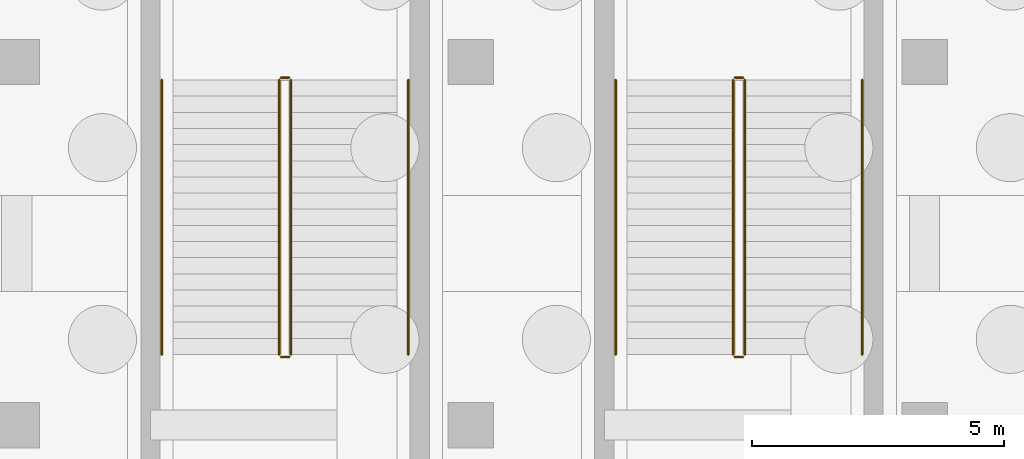
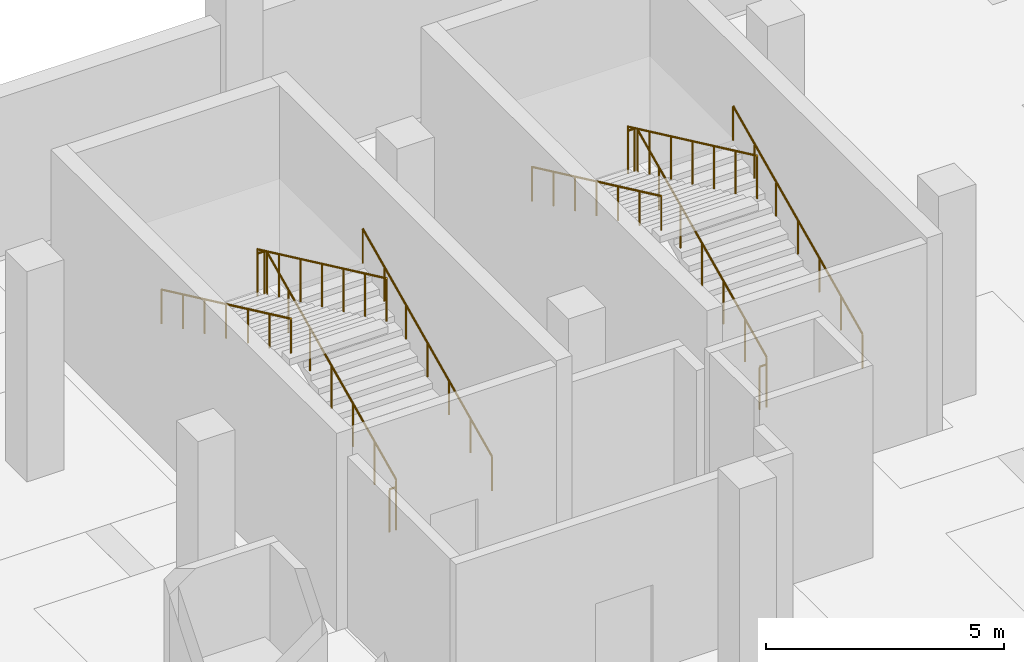
# One storey, part 37 of 39: 12 railings.
"""IFC4 building model written with IfcOpenShell, lengths in metres."""

from ifc_helpers import new_model, si_unit, direction, frame, origin, origin_2d, place, context, subcontext, project, spatial, circle, extrude, material, layer, layer_set, type_object, element, save


model = new_model("IFC4")

# Units and contexts
model_context = context("Model", 3, precision=1e-05, world=origin(), true_north=direction((0.0, 1.0)))
body_context = subcontext(model_context, "Body", "Model", "MODEL_VIEW")
ifc_project = project(units=[si_unit("LENGTHUNIT", "METRE"), si_unit("AREAUNIT", "SQUARE_METRE"), si_unit("VOLUMEUNIT", "CUBIC_METRE"), si_unit("PLANEANGLEUNIT", "RADIAN"), si_unit("MASSUNIT", "GRAM", prefix="KILO")], contexts=[model_context])

# Site, building, storey
site_placement = place(None, origin())
site = spatial("IfcSite", under=ifc_project, at=site_placement, CompositionType="ELEMENT")
building_placement = place(site_placement, origin())
building = spatial("IfcBuilding", under=site, at=building_placement, Name="Celestram Park Convention Centre", CompositionType="ELEMENT")
storey_placement = place(building_placement, frame((0.0, 0.0, -5.39990234375)))
storey = spatial("IfcBuildingStorey", under=building, at=storey_placement, Name="B1", CompositionType="ELEMENT", Elevation=-5.39990234375)

# Railings
ifc_material_1 = material(Name="Stainless Steel AISI 316L & Laminated Glass", Category="steel")
ifc_layer_1 = layer(ifc_material_1, 0.06005859375)
ifc_layer_set_1 = layer_set([ifc_layer_1], Name="Stainless Steel AISI 316L & Laminated Glass")
railing_type_1 = type_object("IfcRailingType", Name="ARC-RL-GRD1120", PredefinedType="GUARDRAIL", material=ifc_layer_set_1)
railing_1_placement = place(storey_placement, frame((86.43603515625, 152.60009765625, 0.14990234375)))
element("IfcRailing", 1, at=railing_1_placement, inside=storey, type_object=railing_type_1, Name="B1 ST-02 stair guard 1", PredefinedType="GUARDRAIL", context=body_context, shape_type="SweptSolid", body=[
    extrude(circle(Radius=0.02392578125, at=origin_2d()), frame((0.0, 0.0, 1.09619140625), z_axis=(0.0, 0.90545405566, 0.424444287379), x_axis=(-1.0, 0.0, 0.0)), (0.0, 0.0, 1.0), 6.008056640625),
    extrude(circle(Radius=0.02099609375, at=origin_2d()), origin(), (0.0, 0.0, 1.0), 1.072021484375),
    extrude(circle(Radius=0.02099609375, at=origin_2d()), frame((0.0, 0.90673828125, 0.425048828125)), (0.0, 0.0, 1.0), 1.072021484375),
    extrude(circle(Radius=0.02099609375, at=origin_2d()), frame((0.0, 1.813232421875, 0.85009765625)), (0.0, 0.0, 1.0), 1.072021484375),
    extrude(circle(Radius=0.02099609375, at=origin_2d()), frame((0.0, 2.719970703125, 1.27490234375)), (0.0, 0.0, 1.0), 1.072021484375),
    extrude(circle(Radius=0.02099609375, at=origin_2d()), frame((0.0, 3.626708984375, 1.699951171875)), (0.0, 0.0, 1.0), 1.072021484375),
    extrude(circle(Radius=0.02099609375, at=origin_2d()), frame((0.0, 4.533203125, 2.125)), (0.0, 0.0, 1.0), 1.072021484375),
    extrude(circle(Radius=0.02099609375, at=origin_2d()), frame((0.0, 5.43994140625, 2.550048828125)), (0.0, 0.0, 1.0), 1.072021484375),
])
railing_2_placement = place(storey_placement, frame((86.39990234375, 158.090087890625, 2.699951171875)))
element("IfcRailing", 2, at=railing_2_placement, inside=storey, type_object=railing_type_1, Name="B1 ST-02 stair guard 2", PredefinedType="GUARDRAIL", context=body_context, shape_type="SweptSolid", body=[
    extrude(circle(Radius=0.02392578125, at=origin_2d()), frame((0.0, 0.0, 1.09619140625), z_axis=(-1.0, 0.0, 0.0), x_axis=(0.0, -1.0, 0.0)), (0.0, 0.0, 1.0), 0.159912109375),
    extrude(circle(Radius=0.02099609375, at=origin_2d()), origin(), (0.0, 0.0, 1.0), 1.072021484375),
    extrude(circle(Radius=0.02099609375, at=origin_2d()), frame((-0.159912109375, 0.0, 0.0)), (0.0, 0.0, 1.0), 1.072021484375),
])
railing_3_placement = place(storey_placement, frame((86.2041015625, 158.0400390625, 2.849853515625)))
element("IfcRailing", 3, at=railing_3_placement, inside=storey, type_object=railing_type_1, Name="B1 ST-02 stair guard 3", PredefinedType="GUARDRAIL", context=body_context, shape_type="SweptSolid", body=[
    extrude(circle(Radius=0.02392578125, at=origin_2d()), frame((0.0, 0.0, 1.09619140625), z_axis=(0.0, -0.90545405566, 0.424444287379), x_axis=(1.0, 0.0, 0.0)), (0.0, 0.0, 1.0), 6.008056640625),
    extrude(circle(Radius=0.02099609375, at=origin_2d()), origin(), (0.0, 0.0, 1.0), 1.072021484375),
    extrude(circle(Radius=0.02099609375, at=origin_2d()), frame((0.0, -0.90673828125, 0.425048828125)), (0.0, 0.0, 1.0), 1.072021484375),
    extrude(circle(Radius=0.02099609375, at=origin_2d()), frame((0.0, -1.813232421875, 0.85009765625)), (0.0, 0.0, 1.0), 1.072021484375),
    extrude(circle(Radius=0.02099609375, at=origin_2d()), frame((0.0, -2.719970703125, 1.27490234375)), (0.0, 0.0, 1.0), 1.072021484375),
    extrude(circle(Radius=0.02099609375, at=origin_2d()), frame((0.0, -3.626708984375, 1.699951171875)), (0.0, 0.0, 1.0), 1.072021484375),
    extrude(circle(Radius=0.02099609375, at=origin_2d()), frame((0.0, -4.533203125, 2.125)), (0.0, 0.0, 1.0), 1.072021484375),
    extrude(circle(Radius=0.02099609375, at=origin_2d()), frame((0.0, -5.43994140625, 2.550048828125)), (0.0, 0.0, 1.0), 1.072021484375),
])
railing_4_placement = place(storey_placement, frame((86.39990234375, 152.550048828125, 0.0)))
element("IfcRailing", 4, at=railing_4_placement, inside=storey, type_object=railing_type_1, Name="B1 ST-02 stair guard 4", PredefinedType="GUARDRAIL", context=body_context, shape_type="SweptSolid", body=[
    extrude(circle(Radius=0.02392578125, at=origin_2d()), frame((0.0, 0.0, 1.09619140625), z_axis=(-1.0, 0.0, 0.0), x_axis=(0.0, -1.0, 0.0)), (0.0, 0.0, 1.0), 0.159912109375),
    extrude(circle(Radius=0.02099609375, at=origin_2d()), origin(), (0.0, 0.0, 1.0), 1.072021484375),
    extrude(circle(Radius=0.02099609375, at=origin_2d()), frame((-0.159912109375, 0.0, 0.0)), (0.0, 0.0, 1.0), 1.072021484375),
])
railing_5_placement = place(storey_placement, frame((95.43603515625, 152.60009765625, 0.14990234375)))
element("IfcRailing", 5, at=railing_5_placement, inside=storey, type_object=railing_type_1, Name="B1 ST-19 stair guard 1", PredefinedType="GUARDRAIL", context=body_context, shape_type="SweptSolid", body=[
    extrude(circle(Radius=0.02392578125, at=origin_2d()), frame((0.0, 0.0, 1.09619140625), z_axis=(0.0, 0.90545405566, 0.424444287379), x_axis=(-1.0, 0.0, 0.0)), (0.0, 0.0, 1.0), 6.008056640625),
    extrude(circle(Radius=0.02099609375, at=origin_2d()), origin(), (0.0, 0.0, 1.0), 1.072021484375),
    extrude(circle(Radius=0.02099609375, at=origin_2d()), frame((0.0, 0.90673828125, 0.425048828125)), (0.0, 0.0, 1.0), 1.072021484375),
    extrude(circle(Radius=0.02099609375, at=origin_2d()), frame((0.0, 1.813232421875, 0.85009765625)), (0.0, 0.0, 1.0), 1.072021484375),
    extrude(circle(Radius=0.02099609375, at=origin_2d()), frame((0.0, 2.719970703125, 1.27490234375)), (0.0, 0.0, 1.0), 1.072021484375),
    extrude(circle(Radius=0.02099609375, at=origin_2d()), frame((0.0, 3.626708984375, 1.699951171875)), (0.0, 0.0, 1.0), 1.072021484375),
    extrude(circle(Radius=0.02099609375, at=origin_2d()), frame((0.0, 4.533203125, 2.125)), (0.0, 0.0, 1.0), 1.072021484375),
    extrude(circle(Radius=0.02099609375, at=origin_2d()), frame((0.0, 5.43994140625, 2.550048828125)), (0.0, 0.0, 1.0), 1.072021484375),
])
railing_6_placement = place(storey_placement, frame((95.39990234375, 158.090087890625, 2.699951171875)))
element("IfcRailing", 6, at=railing_6_placement, inside=storey, type_object=railing_type_1, Name="B1 ST-19 stair guard 2", PredefinedType="GUARDRAIL", context=body_context, shape_type="SweptSolid", body=[
    extrude(circle(Radius=0.02392578125, at=origin_2d()), frame((0.0, 0.0, 1.09619140625), z_axis=(-1.0, 0.0, 0.0), x_axis=(0.0, -1.0, 0.0)), (0.0, 0.0, 1.0), 0.159912109375),
    extrude(circle(Radius=0.02099609375, at=origin_2d()), origin(), (0.0, 0.0, 1.0), 1.072021484375),
    extrude(circle(Radius=0.02099609375, at=origin_2d()), frame((-0.159912109375, 0.0, 0.0)), (0.0, 0.0, 1.0), 1.072021484375),
])
railing_7_placement = place(storey_placement, frame((95.2041015625, 158.0400390625, 2.849853515625)))
element("IfcRailing", 7, at=railing_7_placement, inside=storey, type_object=railing_type_1, Name="B1 ST-19 stair guard 3", PredefinedType="GUARDRAIL", context=body_context, shape_type="SweptSolid", body=[
    extrude(circle(Radius=0.02392578125, at=origin_2d()), frame((0.0, 0.0, 1.09619140625), z_axis=(0.0, -0.90545405566, 0.424444287379), x_axis=(1.0, 0.0, 0.0)), (0.0, 0.0, 1.0), 6.008056640625),
    extrude(circle(Radius=0.02099609375, at=origin_2d()), origin(), (0.0, 0.0, 1.0), 1.072021484375),
    extrude(circle(Radius=0.02099609375, at=origin_2d()), frame((0.0, -0.90673828125, 0.425048828125)), (0.0, 0.0, 1.0), 1.072021484375),
    extrude(circle(Radius=0.02099609375, at=origin_2d()), frame((0.0, -1.813232421875, 0.85009765625)), (0.0, 0.0, 1.0), 1.072021484375),
    extrude(circle(Radius=0.02099609375, at=origin_2d()), frame((0.0, -2.719970703125, 1.27490234375)), (0.0, 0.0, 1.0), 1.072021484375),
    extrude(circle(Radius=0.02099609375, at=origin_2d()), frame((0.0, -3.626708984375, 1.699951171875)), (0.0, 0.0, 1.0), 1.072021484375),
    extrude(circle(Radius=0.02099609375, at=origin_2d()), frame((0.0, -4.533203125, 2.125)), (0.0, 0.0, 1.0), 1.072021484375),
    extrude(circle(Radius=0.02099609375, at=origin_2d()), frame((0.0, -5.43994140625, 2.550048828125)), (0.0, 0.0, 1.0), 1.072021484375),
])
railing_8_placement = place(storey_placement, frame((95.39990234375, 152.550048828125, 0.0)))
element("IfcRailing", 8, at=railing_8_placement, inside=storey, type_object=railing_type_1, Name="B1 ST-19 stair guard 4", PredefinedType="GUARDRAIL", context=body_context, shape_type="SweptSolid", body=[
    extrude(circle(Radius=0.02392578125, at=origin_2d()), frame((0.0, 0.0, 1.09619140625), z_axis=(-1.0, 0.0, 0.0), x_axis=(0.0, -1.0, 0.0)), (0.0, 0.0, 1.0), 0.159912109375),
    extrude(circle(Radius=0.02099609375, at=origin_2d()), origin(), (0.0, 0.0, 1.0), 1.072021484375),
    extrude(circle(Radius=0.02099609375, at=origin_2d()), frame((-0.159912109375, 0.0, 0.0)), (0.0, 0.0, 1.0), 1.072021484375),
])
ifc_material_2 = material(Name="Brushed Stainless Steel AISI 304", Category="steel")
ifc_layer_2 = layer(ifc_material_2, 0.048095703125)
ifc_layer_set_2 = layer_set([ifc_layer_2], Name="Brushed Stainless Steel AISI 304")
railing_type_2 = type_object("IfcRailingType", Name="ARC-RL-HND915", PredefinedType="HANDRAIL", material=ifc_layer_set_2)
railing_9_placement = place(storey_placement, frame((88.763916015625, 152.60009765625, 0.14990234375)))
element("IfcRailing", 9, at=railing_9_placement, inside=storey, type_object=railing_type_2, Name="B1 ST-02 stair handrail 1", PredefinedType="HANDRAIL", context=body_context, shape_type="SweptSolid", body=[
    extrude(circle(Radius=0.02392578125, at=origin_2d()), frame((0.0, 0.0, 0.8759765625), z_axis=(0.0, 0.90545405566, 0.424444287379), x_axis=(-1.0, 0.0, 0.0)), (0.0, 0.0, 1.0), 6.008056640625),
    extrude(circle(Radius=0.02099609375, at=origin_2d()), origin(), (0.0, 0.0, 1.0), 0.851806640625),
    extrude(circle(Radius=0.02099609375, at=origin_2d()), frame((0.0, 0.90673828125, 0.425048828125)), (0.0, 0.0, 1.0), 0.851806640625),
    extrude(circle(Radius=0.02099609375, at=origin_2d()), frame((0.0, 1.813232421875, 0.85009765625)), (0.0, 0.0, 1.0), 0.851806640625),
    extrude(circle(Radius=0.02099609375, at=origin_2d()), frame((0.0, 2.719970703125, 1.27490234375)), (0.0, 0.0, 1.0), 0.851806640625),
    extrude(circle(Radius=0.02099609375, at=origin_2d()), frame((0.0, 3.626708984375, 1.699951171875)), (0.0, 0.0, 1.0), 0.851806640625),
    extrude(circle(Radius=0.02099609375, at=origin_2d()), frame((0.0, 4.533203125, 2.125)), (0.0, 0.0, 1.0), 0.851806640625),
    extrude(circle(Radius=0.02099609375, at=origin_2d()), frame((0.0, 5.43994140625, 2.550048828125)), (0.0, 0.0, 1.0), 0.851806640625),
])
railing_10_placement = place(storey_placement, frame((83.8759765625, 158.0400390625, 2.849853515625)))
element("IfcRailing", 10, at=railing_10_placement, inside=storey, type_object=railing_type_2, Name="B1 ST-02 stair handrail 2", PredefinedType="HANDRAIL", context=body_context, shape_type="SweptSolid", body=[
    extrude(circle(Radius=0.02392578125, at=origin_2d()), frame((0.0, 0.0, 0.8759765625), z_axis=(0.0, -0.90545405566, 0.424444287379), x_axis=(1.0, 0.0, 0.0)), (0.0, 0.0, 1.0), 6.008056640625),
    extrude(circle(Radius=0.02099609375, at=origin_2d()), origin(), (0.0, 0.0, 1.0), 0.851806640625),
    extrude(circle(Radius=0.02099609375, at=origin_2d()), frame((0.0, -0.90673828125, 0.425048828125)), (0.0, 0.0, 1.0), 0.851806640625),
    extrude(circle(Radius=0.02099609375, at=origin_2d()), frame((0.0, -1.813232421875, 0.85009765625)), (0.0, 0.0, 1.0), 0.851806640625),
    extrude(circle(Radius=0.02099609375, at=origin_2d()), frame((0.0, -2.719970703125, 1.27490234375)), (0.0, 0.0, 1.0), 0.851806640625),
    extrude(circle(Radius=0.02099609375, at=origin_2d()), frame((0.0, -3.626708984375, 1.699951171875)), (0.0, 0.0, 1.0), 0.851806640625),
    extrude(circle(Radius=0.02099609375, at=origin_2d()), frame((0.0, -4.533203125, 2.125)), (0.0, 0.0, 1.0), 0.851806640625),
    extrude(circle(Radius=0.02099609375, at=origin_2d()), frame((0.0, -5.43994140625, 2.550048828125)), (0.0, 0.0, 1.0), 0.851806640625),
])
railing_11_placement = place(storey_placement, frame((97.763916015625, 152.60009765625, 0.14990234375)))
element("IfcRailing", 11, at=railing_11_placement, inside=storey, type_object=railing_type_2, Name="B1 ST-19 stair handrail 1", PredefinedType="HANDRAIL", context=body_context, shape_type="SweptSolid", body=[
    extrude(circle(Radius=0.02392578125, at=origin_2d()), frame((0.0, 0.0, 0.8759765625), z_axis=(0.0, 0.90545405566, 0.424444287379), x_axis=(-1.0, 0.0, 0.0)), (0.0, 0.0, 1.0), 6.008056640625),
    extrude(circle(Radius=0.02099609375, at=origin_2d()), origin(), (0.0, 0.0, 1.0), 0.851806640625),
    extrude(circle(Radius=0.02099609375, at=origin_2d()), frame((0.0, 0.90673828125, 0.425048828125)), (0.0, 0.0, 1.0), 0.851806640625),
    extrude(circle(Radius=0.02099609375, at=origin_2d()), frame((0.0, 1.813232421875, 0.85009765625)), (0.0, 0.0, 1.0), 0.851806640625),
    extrude(circle(Radius=0.02099609375, at=origin_2d()), frame((0.0, 2.719970703125, 1.27490234375)), (0.0, 0.0, 1.0), 0.851806640625),
    extrude(circle(Radius=0.02099609375, at=origin_2d()), frame((0.0, 3.626708984375, 1.699951171875)), (0.0, 0.0, 1.0), 0.851806640625),
    extrude(circle(Radius=0.02099609375, at=origin_2d()), frame((0.0, 4.533203125, 2.125)), (0.0, 0.0, 1.0), 0.851806640625),
    extrude(circle(Radius=0.02099609375, at=origin_2d()), frame((0.0, 5.43994140625, 2.550048828125)), (0.0, 0.0, 1.0), 0.851806640625),
])
railing_12_placement = place(storey_placement, frame((92.8759765625, 158.0400390625, 2.849853515625)))
element("IfcRailing", 12, at=railing_12_placement, inside=storey, type_object=railing_type_2, Name="B1 ST-19 stair handrail 2", PredefinedType="HANDRAIL", context=body_context, shape_type="SweptSolid", body=[
    extrude(circle(Radius=0.02392578125, at=origin_2d()), frame((0.0, 0.0, 0.8759765625), z_axis=(0.0, -0.90545405566, 0.424444287379), x_axis=(1.0, 0.0, 0.0)), (0.0, 0.0, 1.0), 6.008056640625),
    extrude(circle(Radius=0.02099609375, at=origin_2d()), origin(), (0.0, 0.0, 1.0), 0.851806640625),
    extrude(circle(Radius=0.02099609375, at=origin_2d()), frame((0.0, -0.90673828125, 0.425048828125)), (0.0, 0.0, 1.0), 0.851806640625),
    extrude(circle(Radius=0.02099609375, at=origin_2d()), frame((0.0, -1.813232421875, 0.85009765625)), (0.0, 0.0, 1.0), 0.851806640625),
    extrude(circle(Radius=0.02099609375, at=origin_2d()), frame((0.0, -2.719970703125, 1.27490234375)), (0.0, 0.0, 1.0), 0.851806640625),
    extrude(circle(Radius=0.02099609375, at=origin_2d()), frame((0.0, -3.626708984375, 1.699951171875)), (0.0, 0.0, 1.0), 0.851806640625),
    extrude(circle(Radius=0.02099609375, at=origin_2d()), frame((0.0, -4.533203125, 2.125)), (0.0, 0.0, 1.0), 0.851806640625),
    extrude(circle(Radius=0.02099609375, at=origin_2d()), frame((0.0, -5.43994140625, 2.550048828125)), (0.0, 0.0, 1.0), 0.851806640625),
])

save(model, "model.ifc")
